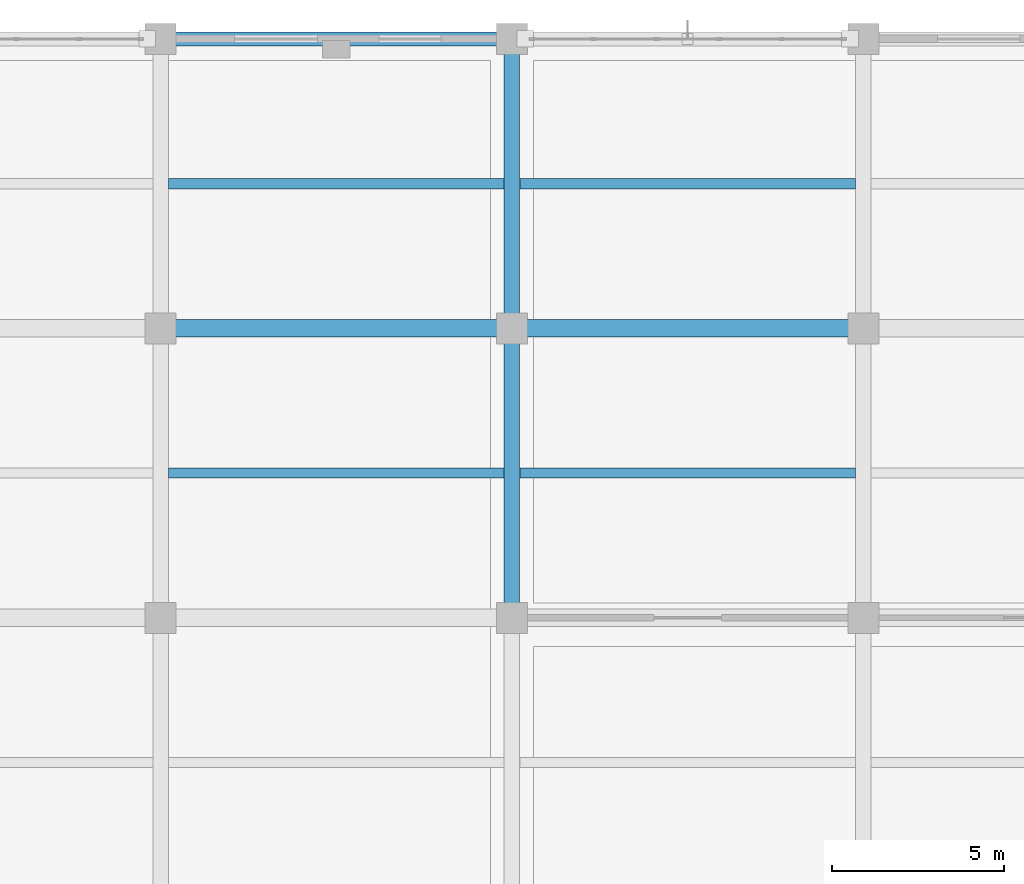
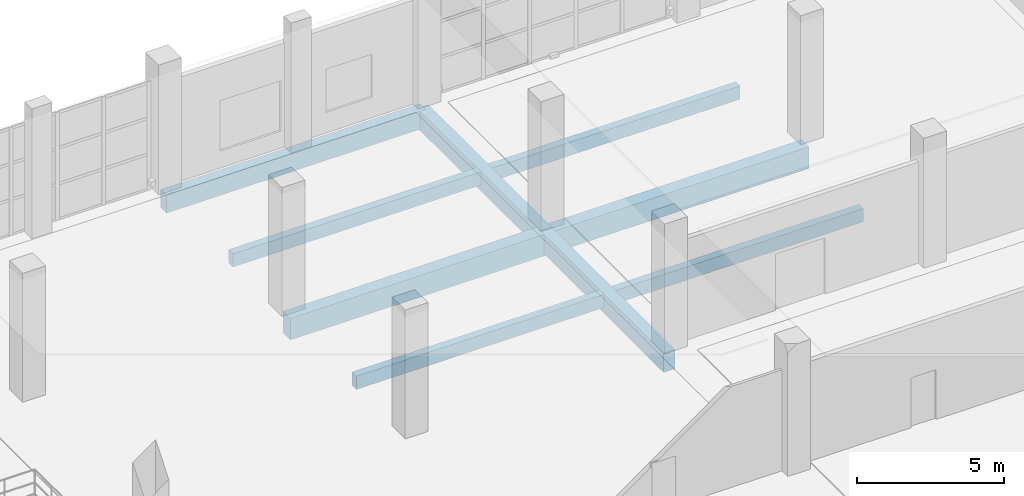
# One storey, part 92 of 175: 9 beams.
"""IFC4 building model written with IfcOpenShell, lengths in metres."""

from ifc_helpers import new_model, si_unit, direction, frame, origin, origin_2d, place, context, subcontext, project, spatial, rectangle, extrude, material, material_profile, profile_set, type_object, element, save


model = new_model("IFC4")

# Units and contexts
model_context = context("Model", 3, precision=1e-05, world=origin(), true_north=direction((0.0, 1.0)))
body_context = subcontext(model_context, "Body", "Model", "MODEL_VIEW")
ifc_project = project(units=[si_unit("LENGTHUNIT", "METRE"), si_unit("AREAUNIT", "SQUARE_METRE"), si_unit("VOLUMEUNIT", "CUBIC_METRE"), si_unit("PLANEANGLEUNIT", "RADIAN"), si_unit("MASSUNIT", "GRAM", prefix="KILO")], contexts=[model_context])

# Site, building, storey
site_placement = place(None, origin())
site = spatial("IfcSite", under=ifc_project, at=site_placement, CompositionType="ELEMENT")
building_placement = place(site_placement, origin())
building = spatial("IfcBuilding", under=site, at=building_placement, Name="Brelvane Convention Centre", CompositionType="ELEMENT")
storey_placement = place(building_placement, frame((0.0, 0.0, 5.39990234375)))
storey = spatial("IfcBuildingStorey", under=building, at=storey_placement, Name="L01", CompositionType="ELEMENT", Elevation=5.39990234375)

# Beams
ifc_material_1 = material(Name="Concrete M40", Category="concrete")
ifc_material_profile_1 = material_profile(ifc_material_1, rectangle(XDim=0.5, YDim=0.89990234375, at=origin_2d()), Name="RC 500x900")
ifc_profile_set_1 = profile_set([ifc_material_profile_1], Name="Concrete M40")
beam_type_1 = type_object("IfcBeamType", Name="RC Beam B-RC4 (RC 500x900)", PredefinedType="BEAM", material=ifc_profile_set_1)
beam_1_placement = place(storey_placement, frame((61.199951171875, 135.60009765625, -0.77001953125), z_axis=(1.0, 0.0, 0.0), x_axis=(0.0, 1.0, 0.0)))
element("IfcBeam", 1, at=beam_1_placement, inside=storey, type_object=beam_type_1, Name="L01 Beam 7-8/P", PredefinedType="BEAM", context=body_context, shape_type="SweptSolid", body=[
    extrude(rectangle(XDim=0.5, YDim=0.89990234375, at=origin_2d()), origin(), (0.0, 0.0, 1.0), 10.199951171875),
])
beam_2_placement = place(storey_placement, frame((71.39990234375, 135.60009765625, -0.77001953125), z_axis=(1.0, 0.0, 0.0), x_axis=(0.0, 1.0, 0.0)))
element("IfcBeam", 2, at=beam_2_placement, inside=storey, type_object=beam_type_1, Name="L01 Beam 8-9/P", PredefinedType="BEAM", context=body_context, shape_type="SweptSolid", body=[
    extrude(rectangle(XDim=0.5, YDim=0.89990234375, at=origin_2d()), origin(), (0.0, 0.0, 1.0), 10.2001953125),
])
ifc_material_2 = material(Name="Concrete M40", Category="concrete")
ifc_material_profile_2 = material_profile(ifc_material_2, rectangle(XDim=0.449951171875, YDim=0.800048828125, at=origin_2d()), Name="RC 450x800")
ifc_profile_set_2 = profile_set([ifc_material_profile_2], Name="Concrete M40")
beam_type_2 = type_object("IfcBeamType", Name="RC Beam B-RC5 (RC 450x800)", PredefinedType="BEAM", material=ifc_profile_set_2)
beam_3_placement = place(storey_placement, frame((71.39990234375, 127.199951171875, -0.719970703125), z_axis=(0.0, 1.0, 0.0), x_axis=(-1.0, 0.0, 0.0)))
element("IfcBeam", 3, at=beam_3_placement, inside=storey, type_object=beam_type_2, Name="L01 Girder 8/N-P", PredefinedType="BEAM", context=body_context, shape_type="SweptSolid", body=[
    extrude(rectangle(XDim=0.449951171875, YDim=0.800048828125, at=origin_2d()), origin(), (0.0, 0.0, 1.0), 8.400146484375),
])
beam_4_placement = place(storey_placement, frame((71.39990234375, 135.60009765625, -0.719970703125), z_axis=(0.0, 1.0, 0.0), x_axis=(-1.0, 0.0, 0.0)))
element("IfcBeam", 4, at=beam_4_placement, inside=storey, type_object=beam_type_2, Name="L01 Girder 8/P-Q", PredefinedType="BEAM", context=body_context, shape_type="SweptSolid", body=[
    extrude(rectangle(XDim=0.449951171875, YDim=0.800048828125, at=origin_2d()), origin(), (0.0, 0.0, 1.0), 8.39990234375),
])
ifc_material_3 = material(Name="Concrete M40", Category="concrete")
ifc_material_profile_3 = material_profile(ifc_material_3, rectangle(XDim=0.300048828125, YDim=0.550048828125, at=origin_2d()), Name="RC 300x550")
ifc_profile_set_3 = profile_set([ifc_material_profile_3], Name="Concrete M40")
beam_type_3 = type_object("IfcBeamType", Name="RC Joist J-RC1 (RC 300x550)", PredefinedType="JOIST", material=ifc_profile_set_3)
for number, where, z_axis, x_axis, name in (
    (5, (61.425048828125, 131.39990234375, -0.594970703125), (1.0, 0.0, 0.0), (0.0, 1.0, 0.0), "L01 Secondary Joist 7-8/NP"),
    (6, (61.425048828125, 139.800048828125, -0.594970703125), (1.0, 0.0, 0.0), (0.0, 1.0, 0.0), "L01 Secondary Joist 7-8/PQ"),
    (7, (71.625, 131.39990234375, -0.594970703125), (1.0, 0.0, 0.0), (0.0, 1.0, 0.0), "L01 Secondary Joist 8-9/NP"),
    (8, (71.625, 139.800048828125, -0.594970703125), (1.0, 0.0, 0.0), (0.0, 1.0, 0.0), "L01 Secondary Joist 8-9/PQ"),
):
    element("IfcBeam", number, at=place(storey_placement, frame(where, z_axis=z_axis, x_axis=x_axis)), inside=storey, type_object=beam_type_3, Name=name, PredefinedType="JOIST", context=body_context, shape_type="SweptSolid", body=[
        extrude(rectangle(XDim=0.300048828125, YDim=0.550048828125, at=origin_2d()), origin(), (0.0, 0.0, 1.0), 9.75),
    ])
ifc_material_4 = material(Name="Concrete M40", Category="concrete")
ifc_material_profile_4 = material_profile(ifc_material_4, rectangle(XDim=0.39990234375, YDim=0.75, at=origin_2d()), Name="RC 400x750")
ifc_profile_set_4 = profile_set([ifc_material_profile_4], Name="Concrete M40")
beam_type_4 = type_object("IfcBeamType", Name="RC Spandrel SP-RC1 (RC 400x750)", PredefinedType="SPANDREL", material=ifc_profile_set_4)
beam_5_placement = place(storey_placement, frame((61.199951171875, 144.0, -0.69482421875), z_axis=(1.0, 0.0, 0.0), x_axis=(0.0, 1.0, 0.0)))
element("IfcBeam", 9, at=beam_5_placement, inside=storey, type_object=beam_type_4, Name="L01 Beam 7-8/Q", PredefinedType="SPANDREL", context=body_context, shape_type="SweptSolid", body=[
    extrude(rectangle(XDim=0.39990234375, YDim=0.75, at=origin_2d()), origin(), (0.0, 0.0, 1.0), 10.199951171875),
])

save(model, "model.ifc")
